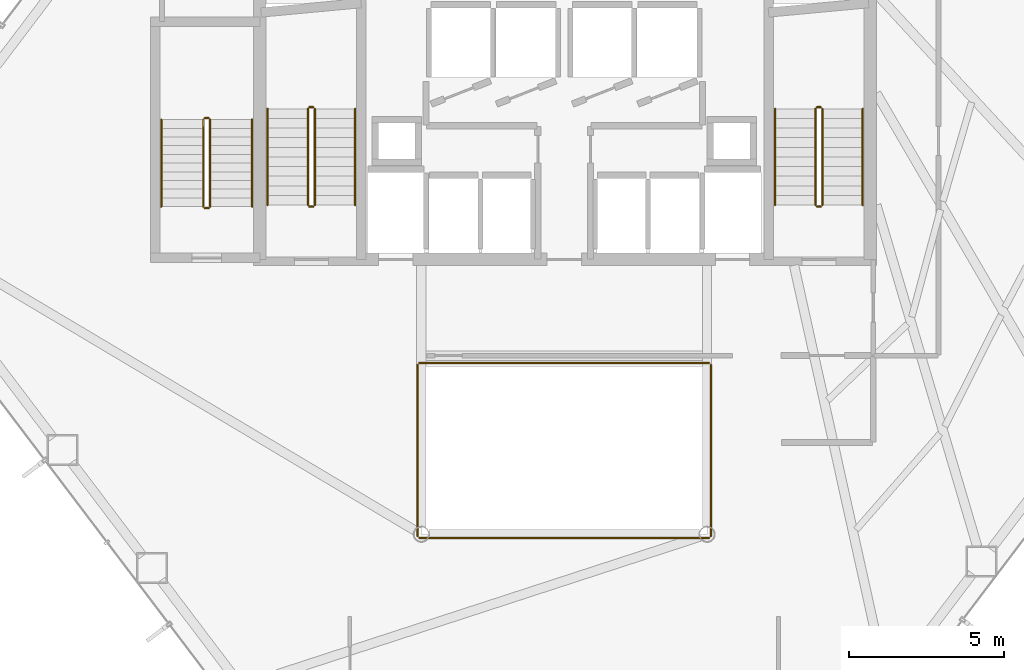
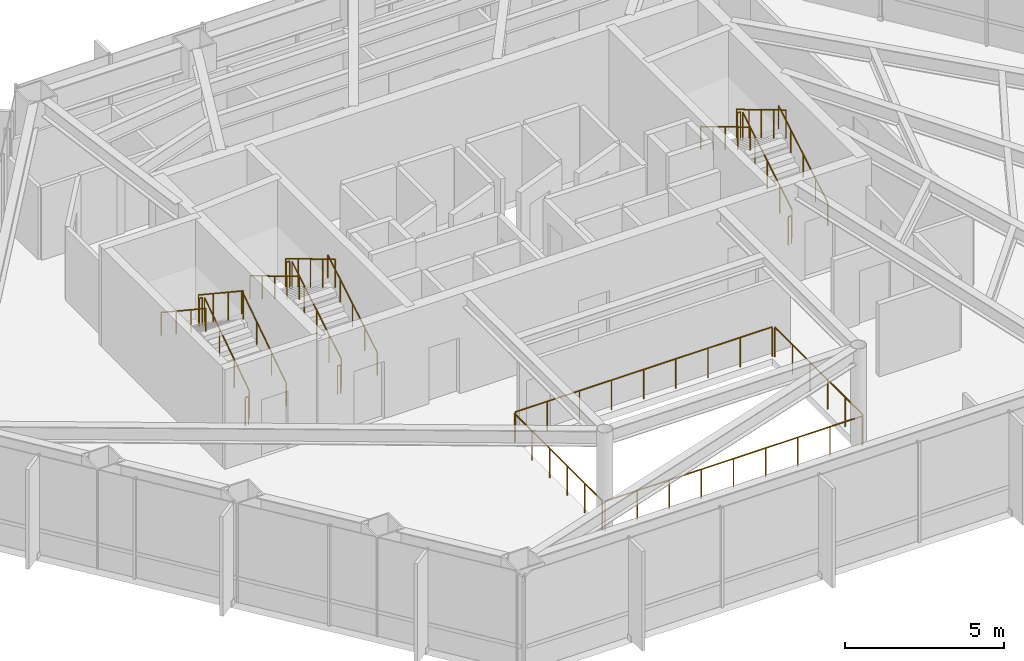
# One storey, part 25 of 25: 22 railings.
"""IFC4 building model written with IfcOpenShell, lengths in metres."""

from ifc_helpers import new_model, si_unit, direction, frame, origin, origin_2d, place, context, subcontext, project, spatial, circle, extrude, material, type_object, element, save


model = new_model("IFC4")

# Units and contexts
model_context = context("Model", 3, precision=1e-05, world=origin(), true_north=direction((0.0, 1.0)))
body_context = subcontext(model_context, "Body", "Model", "MODEL_VIEW")
ifc_project = project(units=[si_unit("LENGTHUNIT", "METRE"), si_unit("AREAUNIT", "SQUARE_METRE"), si_unit("VOLUMEUNIT", "CUBIC_METRE"), si_unit("PLANEANGLEUNIT", "RADIAN"), si_unit("MASSUNIT", "GRAM", prefix="KILO")], contexts=[model_context])

# Site, building, storey
site_placement = place(None, origin())
site = spatial("IfcSite", under=ifc_project, at=site_placement, CompositionType="ELEMENT")
building_placement = place(site_placement, origin())
building = spatial("IfcBuilding", under=site, at=building_placement, Name="Zarrinselat Tower", CompositionType="ELEMENT")
storey_placement = place(building_placement, frame((0.0, 0.0, 56.10009765625)))
storey = spatial("IfcBuildingStorey", under=building, at=storey_placement, Name="L13", CompositionType="ELEMENT", Elevation=56.10009765625)

# Railings
ifc_material_1 = material(Name="Double Low-E Laminated Solar Glass", Category="glass")
railing_type_1 = type_object("IfcRailingType", Name="RLG-ATRIUM-BAL", PredefinedType="BALUSTRADE", material=ifc_material_1)
railing_1_placement = place(storey_placement, frame((33.739990234375, 24.280029296875, 0.0)))
element("IfcRailing", 1, at=railing_1_placement, inside=storey, type_object=railing_type_1, Name="L13 Atrium Void Glass Balustrade S", PredefinedType="BALUSTRADE", context=body_context, shape_type="SweptSolid", body=[
    extrude(circle(Radius=0.02392578125, at=origin_2d()), frame((0.0, 0.0, 1.1259765625), z_axis=(1.0, 0.0, 0.0), x_axis=(0.0, 1.0, 0.0)), (0.0, 0.0, 1.0), 9.320068359375),
    extrude(circle(Radius=0.02099609375, at=origin_2d()), origin(), (0.0, 0.0, 1.0), 1.099853515625),
    extrude(circle(Radius=0.02099609375, at=origin_2d()), frame((1.1650390625, 0.0, 0.0)), (0.0, 0.0, 1.0), 1.099853515625),
    extrude(circle(Radius=0.02099609375, at=origin_2d()), frame((2.330078125, 0.0, 0.0)), (0.0, 0.0, 1.0), 1.099853515625),
    extrude(circle(Radius=0.02099609375, at=origin_2d()), frame((3.4951171875, 0.0, 0.0)), (0.0, 0.0, 1.0), 1.099853515625),
    extrude(circle(Radius=0.02099609375, at=origin_2d()), frame((4.66015625, 0.0, 0.0)), (0.0, 0.0, 1.0), 1.099853515625),
    extrude(circle(Radius=0.02099609375, at=origin_2d()), frame((5.824951171875, 0.0, 0.0)), (0.0, 0.0, 1.0), 1.099853515625),
    extrude(circle(Radius=0.02099609375, at=origin_2d()), frame((6.989990234375, 0.0, 0.0)), (0.0, 0.0, 1.0), 1.099853515625),
    extrude(circle(Radius=0.02099609375, at=origin_2d()), frame((8.155029296875, 0.0, 0.0)), (0.0, 0.0, 1.0), 1.099853515625),
    extrude(circle(Radius=0.02099609375, at=origin_2d()), frame((9.320068359375, 0.0, 0.0)), (0.0, 0.0, 1.0), 1.099853515625),
])
railing_2_placement = place(storey_placement, frame((43.1201171875, 24.340087890625, 0.0)))
element("IfcRailing", 2, at=railing_2_placement, inside=storey, type_object=railing_type_1, Name="L13 Atrium Void Glass Balustrade E", PredefinedType="BALUSTRADE", context=body_context, shape_type="SweptSolid", body=[
    extrude(circle(Radius=0.02392578125, at=origin_2d()), frame((0.0, 0.0, 1.1259765625), z_axis=(0.0, 1.0, 0.0), x_axis=(-1.0, 0.0, 0.0)), (0.0, 0.0, 1.0), 5.52001953125),
    extrude(circle(Radius=0.02099609375, at=origin_2d()), origin(), (0.0, 0.0, 1.0), 1.099853515625),
    extrude(circle(Radius=0.02099609375, at=origin_2d()), frame((0.0, 1.10400390625, 0.0)), (0.0, 0.0, 1.0), 1.099853515625),
    extrude(circle(Radius=0.02099609375, at=origin_2d()), frame((0.0, 2.2080078125, 0.0)), (0.0, 0.0, 1.0), 1.099853515625),
    extrude(circle(Radius=0.02099609375, at=origin_2d()), frame((0.0, 3.31201171875, 0.0)), (0.0, 0.0, 1.0), 1.099853515625),
    extrude(circle(Radius=0.02099609375, at=origin_2d()), frame((0.0, 4.416015625, 0.0)), (0.0, 0.0, 1.0), 1.099853515625),
    extrude(circle(Radius=0.02099609375, at=origin_2d()), frame((0.0, 5.52001953125, 0.0)), (0.0, 0.0, 1.0), 1.099853515625),
])
railing_3_placement = place(storey_placement, frame((43.06005859375, 29.919921875, 0.0)))
element("IfcRailing", 3, at=railing_3_placement, inside=storey, type_object=railing_type_1, Name="L13 Atrium Void Glass Balustrade N", PredefinedType="BALUSTRADE", context=body_context, shape_type="SweptSolid", body=[
    extrude(circle(Radius=0.02392578125, at=origin_2d()), frame((0.0, 0.0, 1.1259765625), z_axis=(-1.0, 0.0, 0.0), x_axis=(0.0, -1.0, 0.0)), (0.0, 0.0, 1.0), 9.320068359375),
    extrude(circle(Radius=0.02099609375, at=origin_2d()), origin(), (0.0, 0.0, 1.0), 1.099853515625),
    extrude(circle(Radius=0.02099609375, at=origin_2d()), frame((-1.1650390625, 0.0, 0.0)), (0.0, 0.0, 1.0), 1.099853515625),
    extrude(circle(Radius=0.02099609375, at=origin_2d()), frame((-2.330078125, 0.0, 0.0)), (0.0, 0.0, 1.0), 1.099853515625),
    extrude(circle(Radius=0.02099609375, at=origin_2d()), frame((-3.4951171875, 0.0, 0.0)), (0.0, 0.0, 1.0), 1.099853515625),
    extrude(circle(Radius=0.02099609375, at=origin_2d()), frame((-4.66015625, 0.0, 0.0)), (0.0, 0.0, 1.0), 1.099853515625),
    extrude(circle(Radius=0.02099609375, at=origin_2d()), frame((-5.824951171875, 0.0, 0.0)), (0.0, 0.0, 1.0), 1.099853515625),
    extrude(circle(Radius=0.02099609375, at=origin_2d()), frame((-6.989990234375, 0.0, 0.0)), (0.0, 0.0, 1.0), 1.099853515625),
    extrude(circle(Radius=0.02099609375, at=origin_2d()), frame((-8.155029296875, 0.0, 0.0)), (0.0, 0.0, 1.0), 1.099853515625),
    extrude(circle(Radius=0.02099609375, at=origin_2d()), frame((-9.320068359375, 0.0, 0.0)), (0.0, 0.0, 1.0), 1.099853515625),
])
railing_4_placement = place(storey_placement, frame((33.679931640625, 29.860107421875, 0.0)))
element("IfcRailing", 4, at=railing_4_placement, inside=storey, type_object=railing_type_1, Name="L13 Atrium Void Glass Balustrade W", PredefinedType="BALUSTRADE", context=body_context, shape_type="SweptSolid", body=[
    extrude(circle(Radius=0.02392578125, at=origin_2d()), frame((0.0, 0.0, 1.1259765625), z_axis=(0.0, -1.0, 0.0), x_axis=(1.0, 0.0, 0.0)), (0.0, 0.0, 1.0), 5.52001953125),
    extrude(circle(Radius=0.02099609375, at=origin_2d()), origin(), (0.0, 0.0, 1.0), 1.099853515625),
    extrude(circle(Radius=0.02099609375, at=origin_2d()), frame((0.0, -1.10400390625, 0.0)), (0.0, 0.0, 1.0), 1.099853515625),
    extrude(circle(Radius=0.02099609375, at=origin_2d()), frame((0.0, -2.2080078125, 0.0)), (0.0, 0.0, 1.0), 1.099853515625),
    extrude(circle(Radius=0.02099609375, at=origin_2d()), frame((0.0, -3.31201171875, 0.0)), (0.0, 0.0, 1.0), 1.099853515625),
    extrude(circle(Radius=0.02099609375, at=origin_2d()), frame((0.0, -4.416015625, 0.0)), (0.0, 0.0, 1.0), 1.099853515625),
    extrude(circle(Radius=0.02099609375, at=origin_2d()), frame((0.0, -5.52001953125, 0.0)), (0.0, 0.0, 1.0), 1.099853515625),
])
ifc_material_2 = material(Name="Steel S355J2", Category="steel")
railing_type_2 = type_object("IfcRailingType", Name="RLG-STAIR-GUARD", PredefinedType="GUARDRAIL", material=ifc_material_2)
railing_5_placement = place(storey_placement, frame((30.3701171875, 35.0, 0.185302734375)))
element("IfcRailing", 5, at=railing_5_placement, inside=storey, type_object=railing_type_2, Name="L13 ST-1 stair guard 1", PredefinedType="GUARDRAIL", context=body_context, shape_type="SweptSolid", body=[
    extrude(circle(Radius=0.02392578125, at=origin_2d()), frame((0.0, 0.0, 1.076171875), z_axis=(0.0, 0.858171985069, 0.513362293163), x_axis=(-1.0, 0.0, 0.0)), (0.0, 0.0, 1.0), 3.612548828125),
    extrude(circle(Radius=0.02099609375, at=origin_2d()), origin(), (0.0, 0.0, 1.0), 1.050048828125),
    extrude(circle(Radius=0.02099609375, at=origin_2d()), frame((0.0, 0.77490234375, 0.463623046875)), (0.0, 0.0, 1.0), 1.050048828125),
    extrude(circle(Radius=0.02099609375, at=origin_2d()), frame((0.0, 1.550048828125, 0.92724609375)), (0.0, 0.0, 1.0), 1.050048828125),
    extrude(circle(Radius=0.02099609375, at=origin_2d()), frame((0.0, 2.3251953125, 1.390869140625)), (0.0, 0.0, 1.0), 1.050048828125),
    extrude(circle(Radius=0.02099609375, at=origin_2d()), frame((0.0, 3.10009765625, 1.8544921875)), (0.0, 0.0, 1.0), 1.050048828125),
])
railing_6_placement = place(storey_placement, frame((30.320068359375, 38.14990234375, 2.039794921875)))
element("IfcRailing", 6, at=railing_6_placement, inside=storey, type_object=railing_type_2, Name="L13 ST-1 stair guard 2", PredefinedType="GUARDRAIL", context=body_context, shape_type="SweptSolid", body=[
    extrude(circle(Radius=0.02392578125, at=origin_2d()), frame((0.0, 0.0, 1.076171875), z_axis=(-1.0, 0.0, 0.0), x_axis=(0.0, -1.0, 0.0)), (0.0, 0.0, 1.0), 0.1201171875),
    extrude(circle(Radius=0.02099609375, at=origin_2d()), origin(), (0.0, 0.0, 1.0), 1.050048828125),
    extrude(circle(Radius=0.02099609375, at=origin_2d()), frame((-0.1201171875, 0.0, 0.0)), (0.0, 0.0, 1.0), 1.050048828125),
])
railing_7_placement = place(storey_placement, frame((30.14990234375, 38.10009765625, 2.225341796875)))
element("IfcRailing", 7, at=railing_7_placement, inside=storey, type_object=railing_type_2, Name="L13 ST-1 stair guard 3", PredefinedType="GUARDRAIL", context=body_context, shape_type="SweptSolid", body=[
    extrude(circle(Radius=0.02392578125, at=origin_2d()), frame((0.0, 0.0, 1.076171875), z_axis=(0.0, -0.858171985069, 0.513362293163), x_axis=(1.0, 0.0, 0.0)), (0.0, 0.0, 1.0), 3.612548828125),
    extrude(circle(Radius=0.02099609375, at=origin_2d()), origin(), (0.0, 0.0, 1.0), 1.050048828125),
    extrude(circle(Radius=0.02099609375, at=origin_2d()), frame((0.0, -0.77490234375, 0.463623046875)), (0.0, 0.0, 1.0), 1.050048828125),
    extrude(circle(Radius=0.02099609375, at=origin_2d()), frame((0.0, -1.550048828125, 0.92724609375)), (0.0, 0.0, 1.0), 1.050048828125),
    extrude(circle(Radius=0.02099609375, at=origin_2d()), frame((0.0, -2.3251953125, 1.390869140625)), (0.0, 0.0, 1.0), 1.050048828125),
    extrude(circle(Radius=0.02099609375, at=origin_2d()), frame((0.0, -3.10009765625, 1.8544921875)), (0.0, 0.0, 1.0), 1.050048828125),
])
railing_8_placement = place(storey_placement, frame((30.320068359375, 34.949951171875, 0.0)))
element("IfcRailing", 8, at=railing_8_placement, inside=storey, type_object=railing_type_2, Name="L13 ST-1 stair guard 4", PredefinedType="GUARDRAIL", context=body_context, shape_type="SweptSolid", body=[
    extrude(circle(Radius=0.02392578125, at=origin_2d()), frame((0.0, 0.0, 1.076171875), z_axis=(-1.0, 0.0, 0.0), x_axis=(0.0, -1.0, 0.0)), (0.0, 0.0, 1.0), 0.1201171875),
    extrude(circle(Radius=0.02099609375, at=origin_2d()), origin(), (0.0, 0.0, 1.0), 1.050048828125),
    extrude(circle(Radius=0.02099609375, at=origin_2d()), frame((-0.1201171875, 0.0, 0.0)), (0.0, 0.0, 1.0), 1.050048828125),
])
railing_9_placement = place(storey_placement, frame((46.7099609375, 35.0, 0.185302734375)))
element("IfcRailing", 9, at=railing_9_placement, inside=storey, type_object=railing_type_2, Name="L13 ST-2 stair guard 1", PredefinedType="GUARDRAIL", context=body_context, shape_type="SweptSolid", body=[
    extrude(circle(Radius=0.02392578125, at=origin_2d()), frame((0.0, 0.0, 1.076171875), z_axis=(0.0, 0.858171985069, 0.513362293163), x_axis=(-1.0, 0.0, 0.0)), (0.0, 0.0, 1.0), 3.612548828125),
    extrude(circle(Radius=0.02099609375, at=origin_2d()), origin(), (0.0, 0.0, 1.0), 1.050048828125),
    extrude(circle(Radius=0.02099609375, at=origin_2d()), frame((0.0, 0.77490234375, 0.463623046875)), (0.0, 0.0, 1.0), 1.050048828125),
    extrude(circle(Radius=0.02099609375, at=origin_2d()), frame((0.0, 1.550048828125, 0.92724609375)), (0.0, 0.0, 1.0), 1.050048828125),
    extrude(circle(Radius=0.02099609375, at=origin_2d()), frame((0.0, 2.3251953125, 1.390869140625)), (0.0, 0.0, 1.0), 1.050048828125),
    extrude(circle(Radius=0.02099609375, at=origin_2d()), frame((0.0, 3.10009765625, 1.8544921875)), (0.0, 0.0, 1.0), 1.050048828125),
])
railing_10_placement = place(storey_placement, frame((46.659912109375, 38.14990234375, 2.039794921875)))
element("IfcRailing", 10, at=railing_10_placement, inside=storey, type_object=railing_type_2, Name="L13 ST-2 stair guard 2", PredefinedType="GUARDRAIL", context=body_context, shape_type="SweptSolid", body=[
    extrude(circle(Radius=0.02392578125, at=origin_2d()), frame((0.0, 0.0, 1.076171875), z_axis=(-1.0, 0.0, 0.0), x_axis=(0.0, -1.0, 0.0)), (0.0, 0.0, 1.0), 0.119873046875),
    extrude(circle(Radius=0.02099609375, at=origin_2d()), origin(), (0.0, 0.0, 1.0), 1.050048828125),
    extrude(circle(Radius=0.02099609375, at=origin_2d()), frame((-0.119873046875, 0.0, 0.0)), (0.0, 0.0, 1.0), 1.050048828125),
])
railing_11_placement = place(storey_placement, frame((46.489990234375, 38.10009765625, 2.225341796875)))
element("IfcRailing", 11, at=railing_11_placement, inside=storey, type_object=railing_type_2, Name="L13 ST-2 stair guard 3", PredefinedType="GUARDRAIL", context=body_context, shape_type="SweptSolid", body=[
    extrude(circle(Radius=0.02392578125, at=origin_2d()), frame((0.0, 0.0, 1.076171875), z_axis=(0.0, -0.858171985069, 0.513362293163), x_axis=(1.0, 0.0, 0.0)), (0.0, 0.0, 1.0), 3.612548828125),
    extrude(circle(Radius=0.02099609375, at=origin_2d()), origin(), (0.0, 0.0, 1.0), 1.050048828125),
    extrude(circle(Radius=0.02099609375, at=origin_2d()), frame((0.0, -0.77490234375, 0.463623046875)), (0.0, 0.0, 1.0), 1.050048828125),
    extrude(circle(Radius=0.02099609375, at=origin_2d()), frame((0.0, -1.550048828125, 0.92724609375)), (0.0, 0.0, 1.0), 1.050048828125),
    extrude(circle(Radius=0.02099609375, at=origin_2d()), frame((0.0, -2.3251953125, 1.390869140625)), (0.0, 0.0, 1.0), 1.050048828125),
    extrude(circle(Radius=0.02099609375, at=origin_2d()), frame((0.0, -3.10009765625, 1.8544921875)), (0.0, 0.0, 1.0), 1.050048828125),
])
railing_12_placement = place(storey_placement, frame((46.659912109375, 34.949951171875, 0.0)))
element("IfcRailing", 12, at=railing_12_placement, inside=storey, type_object=railing_type_2, Name="L13 ST-2 stair guard 4", PredefinedType="GUARDRAIL", context=body_context, shape_type="SweptSolid", body=[
    extrude(circle(Radius=0.02392578125, at=origin_2d()), frame((0.0, 0.0, 1.076171875), z_axis=(-1.0, 0.0, 0.0), x_axis=(0.0, -1.0, 0.0)), (0.0, 0.0, 1.0), 0.119873046875),
    extrude(circle(Radius=0.02099609375, at=origin_2d()), origin(), (0.0, 0.0, 1.0), 1.050048828125),
    extrude(circle(Radius=0.02099609375, at=origin_2d()), frame((-0.119873046875, 0.0, 0.0)), (0.0, 0.0, 1.0), 1.050048828125),
])
railing_13_placement = place(storey_placement, frame((27.0, 34.949951171875, 0.185302734375)))
element("IfcRailing", 13, at=railing_13_placement, inside=storey, type_object=railing_type_2, Name="L13 ST-3 stair guard 1", PredefinedType="GUARDRAIL", context=body_context, shape_type="SweptSolid", body=[
    extrude(circle(Radius=0.02392578125, at=origin_2d()), frame((0.0, 0.0, 1.076171875), z_axis=(0.0, 0.833724036255, 0.552181339209), x_axis=(-1.0, 0.0, 0.0)), (0.0, 0.0, 1.0), 3.3583984375),
    extrude(circle(Radius=0.02099609375, at=origin_2d()), origin(), (0.0, 0.0, 1.0), 1.050048828125),
    extrude(circle(Radius=0.02099609375, at=origin_2d()), frame((0.0, 0.933349609375, 0.6181640625)), (0.0, 0.0, 1.0), 1.050048828125),
    extrude(circle(Radius=0.02099609375, at=origin_2d()), frame((0.0, 1.86669921875, 1.236328125)), (0.0, 0.0, 1.0), 1.050048828125),
    extrude(circle(Radius=0.02099609375, at=origin_2d()), frame((0.0, 2.800048828125, 1.8544921875)), (0.0, 0.0, 1.0), 1.050048828125),
])
railing_14_placement = place(storey_placement, frame((26.949951171875, 37.800048828125, 2.039794921875)))
element("IfcRailing", 14, at=railing_14_placement, inside=storey, type_object=railing_type_2, Name="L13 ST-3 stair guard 2", PredefinedType="GUARDRAIL", context=body_context, shape_type="SweptSolid", body=[
    extrude(circle(Radius=0.02392578125, at=origin_2d()), frame((0.0, 0.0, 1.076171875), z_axis=(-1.0, 0.0, 0.0), x_axis=(0.0, -1.0, 0.0)), (0.0, 0.0, 1.0), 0.119873046875),
    extrude(circle(Radius=0.02099609375, at=origin_2d()), origin(), (0.0, 0.0, 1.0), 1.050048828125),
    extrude(circle(Radius=0.02099609375, at=origin_2d()), frame((-0.119873046875, 0.0, 0.0)), (0.0, 0.0, 1.0), 1.050048828125),
])
railing_15_placement = place(storey_placement, frame((26.780029296875, 37.75, 2.225341796875)))
element("IfcRailing", 15, at=railing_15_placement, inside=storey, type_object=railing_type_2, Name="L13 ST-3 stair guard 3", PredefinedType="GUARDRAIL", context=body_context, shape_type="SweptSolid", body=[
    extrude(circle(Radius=0.02392578125, at=origin_2d()), frame((0.0, 0.0, 1.076171875), z_axis=(0.0, -0.833724036255, 0.552181339209), x_axis=(1.0, 0.0, 0.0)), (0.0, 0.0, 1.0), 3.3583984375),
    extrude(circle(Radius=0.02099609375, at=origin_2d()), origin(), (0.0, 0.0, 1.0), 1.050048828125),
    extrude(circle(Radius=0.02099609375, at=origin_2d()), frame((0.0, -0.933349609375, 0.6181640625)), (0.0, 0.0, 1.0), 1.050048828125),
    extrude(circle(Radius=0.02099609375, at=origin_2d()), frame((0.0, -1.86669921875, 1.236328125)), (0.0, 0.0, 1.0), 1.050048828125),
    extrude(circle(Radius=0.02099609375, at=origin_2d()), frame((0.0, -2.800048828125, 1.8544921875)), (0.0, 0.0, 1.0), 1.050048828125),
])
railing_16_placement = place(storey_placement, frame((26.949951171875, 34.89990234375, 0.0)))
element("IfcRailing", 16, at=railing_16_placement, inside=storey, type_object=railing_type_2, Name="L13 ST-3 stair guard 4", PredefinedType="GUARDRAIL", context=body_context, shape_type="SweptSolid", body=[
    extrude(circle(Radius=0.02392578125, at=origin_2d()), frame((0.0, 0.0, 1.076171875), z_axis=(-1.0, 0.0, 0.0), x_axis=(0.0, -1.0, 0.0)), (0.0, 0.0, 1.0), 0.119873046875),
    extrude(circle(Radius=0.02099609375, at=origin_2d()), origin(), (0.0, 0.0, 1.0), 1.050048828125),
    extrude(circle(Radius=0.02099609375, at=origin_2d()), frame((-0.119873046875, 0.0, 0.0)), (0.0, 0.0, 1.0), 1.050048828125),
])
ifc_material_3 = material(Name="Steel S355J2", Category="steel")
railing_type_3 = type_object("IfcRailingType", Name="RLG-STAIR-HAND", PredefinedType="HANDRAIL", material=ifc_material_3)
railing_17_placement = place(storey_placement, frame((31.669921875, 35.0, 0.185302734375)))
element("IfcRailing", 17, at=railing_17_placement, inside=storey, type_object=railing_type_3, Name="L13 ST-1 stair handrail 1", PredefinedType="HANDRAIL", context=body_context, shape_type="SweptSolid", body=[
    extrude(circle(Radius=0.02392578125, at=origin_2d()), frame((0.0, 0.0, 0.8759765625), z_axis=(0.0, 0.858171985069, 0.513362293163), x_axis=(-1.0, 0.0, 0.0)), (0.0, 0.0, 1.0), 3.612548828125),
    extrude(circle(Radius=0.02099609375, at=origin_2d()), origin(), (0.0, 0.0, 1.0), 0.849853515625),
    extrude(circle(Radius=0.02099609375, at=origin_2d()), frame((0.0, 0.77490234375, 0.463623046875)), (0.0, 0.0, 1.0), 0.849853515625),
    extrude(circle(Radius=0.02099609375, at=origin_2d()), frame((0.0, 1.550048828125, 0.92724609375)), (0.0, 0.0, 1.0), 0.849853515625),
    extrude(circle(Radius=0.02099609375, at=origin_2d()), frame((0.0, 2.3251953125, 1.390869140625)), (0.0, 0.0, 1.0), 0.849853515625),
    extrude(circle(Radius=0.02099609375, at=origin_2d()), frame((0.0, 3.10009765625, 1.8544921875)), (0.0, 0.0, 1.0), 0.849853515625),
])
railing_18_placement = place(storey_placement, frame((28.85009765625, 38.10009765625, 2.225341796875)))
element("IfcRailing", 18, at=railing_18_placement, inside=storey, type_object=railing_type_3, Name="L13 ST-1 stair handrail 2", PredefinedType="HANDRAIL", context=body_context, shape_type="SweptSolid", body=[
    extrude(circle(Radius=0.02392578125, at=origin_2d()), frame((0.0, 0.0, 0.8759765625), z_axis=(0.0, -0.858171985069, 0.513362293163), x_axis=(1.0, 0.0, 0.0)), (0.0, 0.0, 1.0), 3.612548828125),
    extrude(circle(Radius=0.02099609375, at=origin_2d()), origin(), (0.0, 0.0, 1.0), 0.849853515625),
    extrude(circle(Radius=0.02099609375, at=origin_2d()), frame((0.0, -0.77490234375, 0.463623046875)), (0.0, 0.0, 1.0), 0.849853515625),
    extrude(circle(Radius=0.02099609375, at=origin_2d()), frame((0.0, -1.550048828125, 0.92724609375)), (0.0, 0.0, 1.0), 0.849853515625),
    extrude(circle(Radius=0.02099609375, at=origin_2d()), frame((0.0, -2.3251953125, 1.390869140625)), (0.0, 0.0, 1.0), 0.849853515625),
    extrude(circle(Radius=0.02099609375, at=origin_2d()), frame((0.0, -3.10009765625, 1.8544921875)), (0.0, 0.0, 1.0), 0.849853515625),
])
railing_19_placement = place(storey_placement, frame((48.010009765625, 35.0, 0.185302734375)))
element("IfcRailing", 19, at=railing_19_placement, inside=storey, type_object=railing_type_3, Name="L13 ST-2 stair handrail 1", PredefinedType="HANDRAIL", context=body_context, shape_type="SweptSolid", body=[
    extrude(circle(Radius=0.02392578125, at=origin_2d()), frame((0.0, 0.0, 0.8759765625), z_axis=(0.0, 0.858171985069, 0.513362293163), x_axis=(-1.0, 0.0, 0.0)), (0.0, 0.0, 1.0), 3.612548828125),
    extrude(circle(Radius=0.02099609375, at=origin_2d()), origin(), (0.0, 0.0, 1.0), 0.849853515625),
    extrude(circle(Radius=0.02099609375, at=origin_2d()), frame((0.0, 0.77490234375, 0.463623046875)), (0.0, 0.0, 1.0), 0.849853515625),
    extrude(circle(Radius=0.02099609375, at=origin_2d()), frame((0.0, 1.550048828125, 0.92724609375)), (0.0, 0.0, 1.0), 0.849853515625),
    extrude(circle(Radius=0.02099609375, at=origin_2d()), frame((0.0, 2.3251953125, 1.390869140625)), (0.0, 0.0, 1.0), 0.849853515625),
    extrude(circle(Radius=0.02099609375, at=origin_2d()), frame((0.0, 3.10009765625, 1.8544921875)), (0.0, 0.0, 1.0), 0.849853515625),
])
railing_20_placement = place(storey_placement, frame((45.18994140625, 38.10009765625, 2.225341796875)))
element("IfcRailing", 20, at=railing_20_placement, inside=storey, type_object=railing_type_3, Name="L13 ST-2 stair handrail 2", PredefinedType="HANDRAIL", context=body_context, shape_type="SweptSolid", body=[
    extrude(circle(Radius=0.02392578125, at=origin_2d()), frame((0.0, 0.0, 0.8759765625), z_axis=(0.0, -0.858171985069, 0.513362293163), x_axis=(1.0, 0.0, 0.0)), (0.0, 0.0, 1.0), 3.612548828125),
    extrude(circle(Radius=0.02099609375, at=origin_2d()), origin(), (0.0, 0.0, 1.0), 0.849853515625),
    extrude(circle(Radius=0.02099609375, at=origin_2d()), frame((0.0, -0.77490234375, 0.463623046875)), (0.0, 0.0, 1.0), 0.849853515625),
    extrude(circle(Radius=0.02099609375, at=origin_2d()), frame((0.0, -1.550048828125, 0.92724609375)), (0.0, 0.0, 1.0), 0.849853515625),
    extrude(circle(Radius=0.02099609375, at=origin_2d()), frame((0.0, -2.3251953125, 1.390869140625)), (0.0, 0.0, 1.0), 0.849853515625),
    extrude(circle(Radius=0.02099609375, at=origin_2d()), frame((0.0, -3.10009765625, 1.8544921875)), (0.0, 0.0, 1.0), 0.849853515625),
])
railing_21_placement = place(storey_placement, frame((28.35009765625, 34.949951171875, 0.185302734375)))
element("IfcRailing", 21, at=railing_21_placement, inside=storey, type_object=railing_type_3, Name="L13 ST-3 stair handrail 1", PredefinedType="HANDRAIL", context=body_context, shape_type="SweptSolid", body=[
    extrude(circle(Radius=0.02392578125, at=origin_2d()), frame((0.0, 0.0, 0.8759765625), z_axis=(0.0, 0.833724036255, 0.552181339209), x_axis=(-1.0, 0.0, 0.0)), (0.0, 0.0, 1.0), 3.3583984375),
    extrude(circle(Radius=0.02099609375, at=origin_2d()), origin(), (0.0, 0.0, 1.0), 0.849853515625),
    extrude(circle(Radius=0.02099609375, at=origin_2d()), frame((0.0, 0.933349609375, 0.6181640625)), (0.0, 0.0, 1.0), 0.849853515625),
    extrude(circle(Radius=0.02099609375, at=origin_2d()), frame((0.0, 1.86669921875, 1.236328125)), (0.0, 0.0, 1.0), 0.849853515625),
    extrude(circle(Radius=0.02099609375, at=origin_2d()), frame((0.0, 2.800048828125, 1.8544921875)), (0.0, 0.0, 1.0), 0.849853515625),
])
railing_22_placement = place(storey_placement, frame((25.429931640625, 37.75, 2.225341796875)))
element("IfcRailing", 22, at=railing_22_placement, inside=storey, type_object=railing_type_3, Name="L13 ST-3 stair handrail 2", PredefinedType="HANDRAIL", context=body_context, shape_type="SweptSolid", body=[
    extrude(circle(Radius=0.02392578125, at=origin_2d()), frame((0.0, 0.0, 0.8759765625), z_axis=(0.0, -0.833724036255, 0.552181339209), x_axis=(1.0, 0.0, 0.0)), (0.0, 0.0, 1.0), 3.3583984375),
    extrude(circle(Radius=0.02099609375, at=origin_2d()), origin(), (0.0, 0.0, 1.0), 0.849853515625),
    extrude(circle(Radius=0.02099609375, at=origin_2d()), frame((0.0, -0.933349609375, 0.6181640625)), (0.0, 0.0, 1.0), 0.849853515625),
    extrude(circle(Radius=0.02099609375, at=origin_2d()), frame((0.0, -1.86669921875, 1.236328125)), (0.0, 0.0, 1.0), 0.849853515625),
    extrude(circle(Radius=0.02099609375, at=origin_2d()), frame((0.0, -2.800048828125, 1.8544921875)), (0.0, 0.0, 1.0), 0.849853515625),
])

save(model, "model.ifc")
